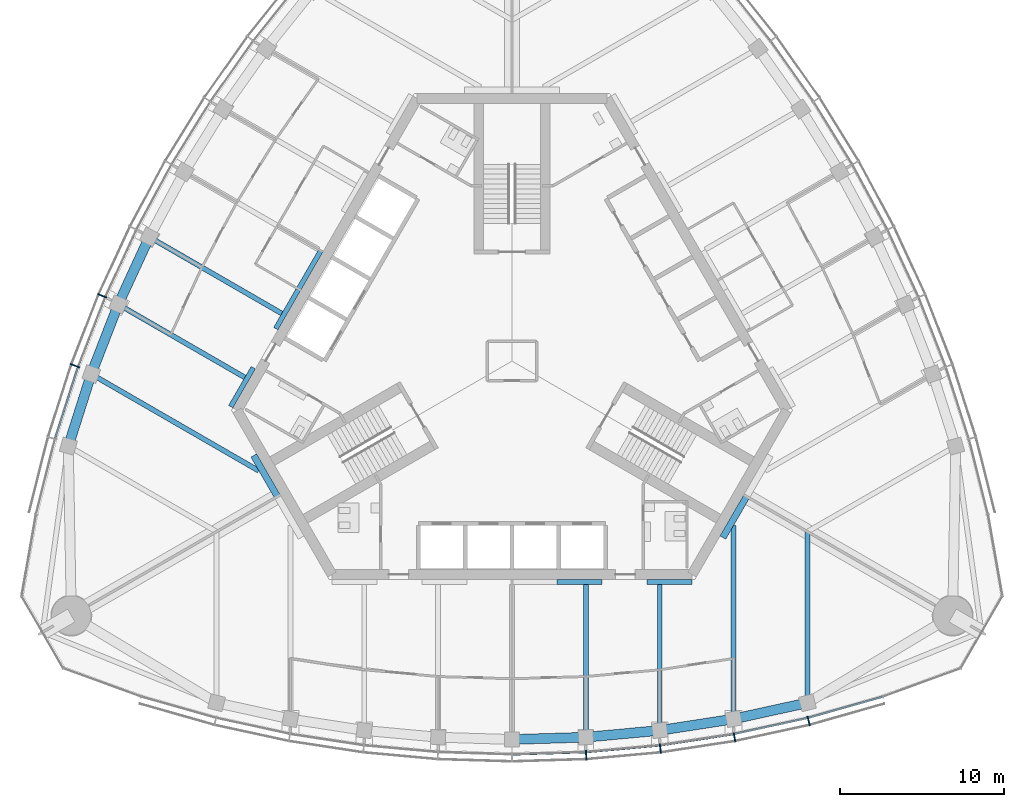
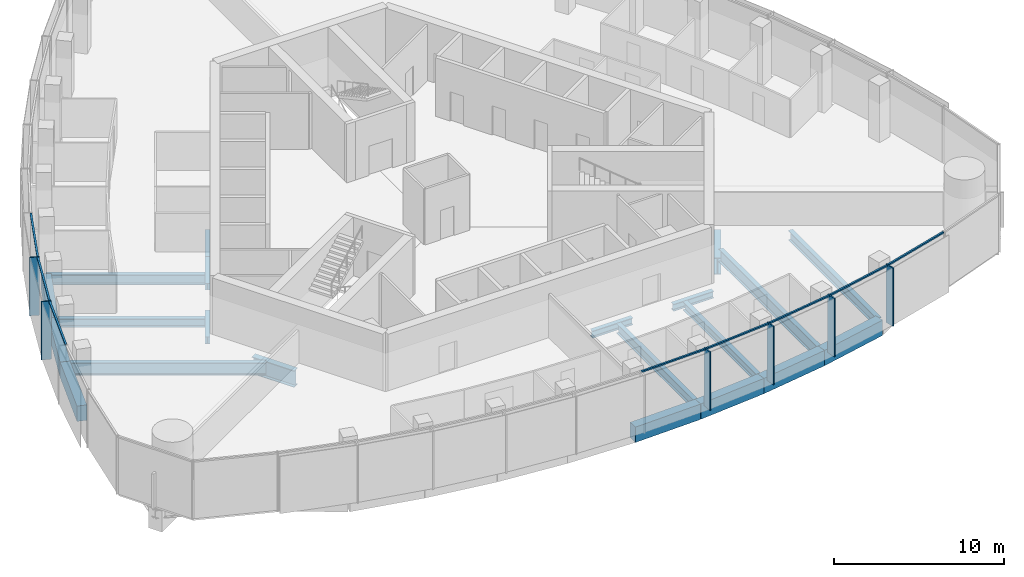
# One storey, part 3 of 16: 21 beams, 14 members, 2 elements without a shape of their own.
"""IFC4 building model written with IfcOpenShell, lengths in metres."""

from ifc_helpers import new_model, si_unit, direction, frame, origin, origin_2d, place, context, subcontext, project, spatial, rectangle, i_section, extrude, material, material_profile, profile_set, type_object, element, aggregate, save


model = new_model("IFC4")

# Units and contexts
model_context = context("Model", 3, precision=1e-05, world=origin(), true_north=direction((0.0, 1.0)))
body_context = subcontext(model_context, "Body", "Model", "MODEL_VIEW")
ifc_project = project(units=[si_unit("LENGTHUNIT", "METRE"), si_unit("AREAUNIT", "SQUARE_METRE"), si_unit("VOLUMEUNIT", "CUBIC_METRE"), si_unit("PLANEANGLEUNIT", "RADIAN"), si_unit("MASSUNIT", "GRAM", prefix="KILO")], contexts=[model_context])

# Site, building, storey
site_placement = place(None, origin())
site = spatial("IfcSite", under=ifc_project, at=site_placement, CompositionType="ELEMENT")
building_placement = place(site_placement, origin())
building = spatial("IfcBuilding", under=site, at=building_placement, Name="Trefoil Bronze Tower", CompositionType="ELEMENT")
storey_placement = place(building_placement, frame((0.0, 0.0, 305.699951171875)))
storey = spatial("IfcBuildingStorey", under=building, at=storey_placement, Name="L70", CompositionType="ELEMENT", Elevation=305.699951171875)

# Curtain wall, members
ifc_material_1 = material(Name="Tinted solar-control glass", Category="glass")
curtain_wall_type = type_object("IfcCurtainWallType", Name="Bronze office curtain wall", PredefinedType="USERDEFINED", material=ifc_material_1)
curtain_wall_1_placement = place(storey_placement, origin())
curtain_wall_1 = element("IfcCurtainWall", 1, at=curtain_wall_1_placement, inside=storey, type_object=curtain_wall_type, Name="CW-A L70 F1", ObjectType="CURTAIN WALL", PredefinedType="USERDEFINED")
ifc_material_2 = material(Name="Bronze-finish aluminium", Category="aluminium")
ifc_material_profile_1 = material_profile(ifc_material_2, rectangle(XDim=0.60009765625, YDim=0.080078125, at=origin_2d()), Name="CW-A mullion")
ifc_profile_set_1 = profile_set([ifc_material_profile_1], Name="Bronze-finish aluminium")
member_type_1 = type_object("IfcMemberType", Name="Bronze office curtain wall mullion", PredefinedType="MULLION", material=ifc_profile_set_1)
member_1_placement = place(storey_placement, frame((4.51806640625, -24.014892578125, 0.0), z_axis=(0.0, 0.0, 1.0), x_axis=(-0.060554040199, 0.998164920349, 0.0)))
member_1 = element("IfcMember", 2, at=member_1_placement, type_object=member_type_1, Name="CW-A L70 F1 mullion 7", PredefinedType="MULLION", context=body_context, shape_type="SweptSolid", body=[
    extrude(rectangle(XDim=0.60009765625, YDim=0.080078125, at=origin_2d()), origin(), (0.0, 0.0, 1.0), 4.179931640625),
])
member_2_placement = place(storey_placement, frame((9.036376953125, -23.602783203125, 0.0), z_axis=(0.0, 0.0, 1.0), x_axis=(-0.121109330868, 0.992639174109, 0.0)))
member_2 = element("IfcMember", 3, at=member_2_placement, type_object=member_type_1, Name="CW-A L70 F1 mullion 8", PredefinedType="MULLION", context=body_context, shape_type="SweptSolid", body=[
    extrude(rectangle(XDim=0.60009765625, YDim=0.080078125, at=origin_2d()), origin(), (0.0, 0.0, 1.0), 4.179931640625),
])
member_3_placement = place(storey_placement, frame((13.554443359375, -22.911376953125, 0.0), z_axis=(0.0, 0.0, 1.0), x_axis=(-0.181667218242, 0.983360067227, 0.0)))
member_3 = element("IfcMember", 4, at=member_3_placement, type_object=member_type_1, Name="CW-A L70 F1 mullion 9", PredefinedType="MULLION", context=body_context, shape_type="SweptSolid", body=[
    extrude(rectangle(XDim=0.60009765625, YDim=0.080078125, at=origin_2d()), origin(), (0.0, 0.0, 1.0), 4.179931640625),
])
member_4_placement = place(storey_placement, frame((18.07275390625, -21.931884765625, 0.0), z_axis=(0.0, 0.0, 1.0), x_axis=(-0.242394494031, 0.97017777199, 0.0)))
member_4 = element("IfcMember", 5, at=member_4_placement, type_object=member_type_1, Name="CW-A L70 F1 mullion 10", PredefinedType="MULLION", context=body_context, shape_type="SweptSolid", body=[
    extrude(rectangle(XDim=0.60009765625, YDim=0.080078125, at=origin_2d()), origin(), (0.0, 0.0, 1.0), 4.179931640625),
])

curtain_wall_2_placement = place(storey_placement, origin())
curtain_wall_2 = element("IfcCurtainWall", 6, at=curtain_wall_2_placement, inside=storey, type_object=curtain_wall_type, Name="CW-A L70 F3", ObjectType="CURTAIN WALL", PredefinedType="USERDEFINED")
member_5_placement = place(storey_placement, frame((-24.958984375, 3.975830078125, 0.0), z_axis=(0.0, 0.0, 1.0), x_axis=(0.920205407004, -0.391435829888, 0.0)))
member_5 = element("IfcMember", 7, at=member_5_placement, type_object=member_type_1, Name="CW-A L70 F3 mullion 8", PredefinedType="MULLION", context=body_context, shape_type="SweptSolid", body=[
    extrude(rectangle(XDim=0.60009765625, YDim=0.080078125, at=origin_2d()), origin(), (0.0, 0.0, 1.0), 4.179931640625),
])
member_6_placement = place(storey_placement, frame((-26.618896484375, -0.282958984375, 0.0), z_axis=(0.0, 0.0, 1.0), x_axis=(0.942448408407, -0.334351607581, 0.0)))
member_6 = element("IfcMember", 8, at=member_6_placement, type_object=member_type_1, Name="CW-A L70 F3 mullion 9", PredefinedType="MULLION", context=body_context, shape_type="SweptSolid", body=[
    extrude(rectangle(XDim=0.60009765625, YDim=0.080078125, at=origin_2d()), origin(), (0.0, 0.0, 1.0), 4.179931640625),
])

# Member
ifc_material_3 = material(Name="Bronze-finish aluminium", Category="aluminium")
ifc_material_profile_2 = material_profile(ifc_material_3, rectangle(XDim=0.1201171875, YDim=0.10009765625, at=origin_2d()), Name="CW-A transom")
ifc_profile_set_2 = profile_set([ifc_material_profile_2], Name="Bronze-finish aluminium")
member_type_2 = type_object("IfcMemberType", Name="Bronze office curtain wall transom", PredefinedType="USERDEFINED", material=ifc_profile_set_2)
member_7_placement = place(storey_placement, frame((0.04296875, -23.950439453125, 4.130126953125), z_axis=(0.99954057115, 0.030309183848, 0.0), x_axis=(-0.030309183848, 0.99954057115, 0.0)))
member_7 = element("IfcMember", 9, at=member_7_placement, type_object=member_type_2, Name="CW-A L70 F1 transom 6", ObjectType="TRANSOM", PredefinedType="USERDEFINED", context=body_context, shape_type="SweptSolid", body=[
    extrude(rectangle(XDim=0.1201171875, YDim=0.10009765625, at=origin_2d()), origin(), (0.0, 0.0, 1.0), 4.422119140625),
])

member_8_placement = place(storey_placement, frame((4.548828125, -23.811279296875, 4.130126953125), z_axis=(0.995868373079, 0.090808499059, 0.0), x_axis=(-0.090808499059, 0.995868373079, 0.0)))
member_8 = element("IfcMember", 10, at=member_8_placement, type_object=member_type_2, Name="CW-A L70 F1 transom 7", ObjectType="TRANSOM", PredefinedType="USERDEFINED", context=body_context, shape_type="SweptSolid", body=[
    extrude(rectangle(XDim=0.1201171875, YDim=0.10009765625, at=origin_2d()), origin(), (0.0, 0.0, 1.0), 4.438720703125),
])

member_9_placement = place(storey_placement, frame((9.0546875, -23.39794921875, 4.130126953125), z_axis=(0.988485016014, 0.151318779787, 0.0), x_axis=(-0.151318779787, 0.988485016014, 0.0)))
member_9 = element("IfcMember", 11, at=member_9_placement, type_object=member_type_2, Name="CW-A L70 F1 transom 8", ObjectType="TRANSOM", PredefinedType="USERDEFINED", context=body_context, shape_type="SweptSolid", body=[
    extrude(rectangle(XDim=0.1201171875, YDim=0.10009765625, at=origin_2d()), origin(), (0.0, 0.0, 1.0), 4.472412109375),
])

member_10_placement = place(storey_placement, frame((13.560302734375, -22.70556640625, 4.130126953125), z_axis=(0.977303780028, 0.211842681117, 0.0), x_axis=(-0.211842681117, 0.977303780028, 0.0)))
member_10 = element("IfcMember", 12, at=member_10_placement, type_object=member_type_2, Name="CW-A L70 F1 transom 9", ObjectType="TRANSOM", PredefinedType="USERDEFINED", context=body_context, shape_type="SweptSolid", body=[
    extrude(rectangle(XDim=0.1201171875, YDim=0.10009765625, at=origin_2d()), origin(), (0.0, 0.0, 1.0), 4.524658203125),
])

member_11_placement = place(storey_placement, frame((18.065673828125, -21.72607421875, 4.130126953125), z_axis=(0.962102611578, 0.272687668944, 0.0), x_axis=(-0.272687668944, 0.962102611578, 0.0)))
member_11 = element("IfcMember", 13, at=member_11_placement, type_object=member_type_2, Name="CW-A L70 F1 transom 10", ObjectType="TRANSOM", PredefinedType="USERDEFINED", context=body_context, shape_type="SweptSolid", body=[
    extrude(rectangle(XDim=0.1201171875, YDim=0.10009765625, at=origin_2d()), origin(), (0.0, 0.0, 1.0), 4.6474609375),
])

aggregate(curtain_wall_1, [member_1, member_2, member_3, member_4, member_7, member_8, member_9, member_10, member_11])

member_12_placement = place(storey_placement, frame((-22.895751953125, 7.966064453125, 4.130126953125), z_axis=(-0.4192988407, -0.907848270466, 0.0), x_axis=(0.907848270466, -0.4192988407, 0.0)))
member_12 = element("IfcMember", 14, at=member_12_placement, type_object=member_type_2, Name="CW-A L70 F3 transom 7", ObjectType="TRANSOM", PredefinedType="USERDEFINED", context=body_context, shape_type="SweptSolid", body=[
    extrude(rectangle(XDim=0.1201171875, YDim=0.10009765625, at=origin_2d()), origin(), (0.0, 0.0, 1.0), 4.4384765625),
])

member_13_placement = place(storey_placement, frame((-24.79052734375, 3.857421875, 4.130126953125), z_axis=(-0.363178486404, -0.931719586042, 0.0), x_axis=(0.931719586042, -0.363178486404, 0.0)))
member_13 = element("IfcMember", 15, at=member_13_placement, type_object=member_type_2, Name="CW-A L70 F3 transom 8", ObjectType="TRANSOM", PredefinedType="USERDEFINED", context=body_context, shape_type="SweptSolid", body=[
    extrude(rectangle(XDim=0.1201171875, YDim=0.10009765625, at=origin_2d()), origin(), (0.0, 0.0, 1.0), 4.472412109375),
])

member_14_placement = place(storey_placement, frame((-26.443603515625, -0.390869140625, 4.130126953125), z_axis=(-0.305198606794, -0.95228872219, 0.0), x_axis=(0.95228872219, -0.305198606794, 0.0)))
member_14 = element("IfcMember", 16, at=member_14_placement, type_object=member_type_2, Name="CW-A L70 F3 transom 9", ObjectType="TRANSOM", PredefinedType="USERDEFINED", context=body_context, shape_type="SweptSolid", body=[
    extrude(rectangle(XDim=0.1201171875, YDim=0.10009765625, at=origin_2d()), origin(), (0.0, 0.0, 1.0), 4.5244140625),
])

aggregate(curtain_wall_2, [member_5, member_6, member_12, member_13, member_14])

# Beams
ifc_material_4 = material(Name="Steel C355", Category="steel")
ifc_material_profile_3 = material_profile(ifc_material_4, i_section(OverallWidth=0.300048828125, OverallDepth=0.5, WebThickness=0.014404296875, FlangeThickness=0.028076171875, FilletRadius=0.027099609375, at=origin_2d()), Name="HEB 500")
ifc_profile_set_3 = profile_set([ifc_material_profile_3], Name="Steel C355")
beam_type_1 = type_object("IfcBeamType", Name="Core seat beam HEB 500", PredefinedType="BEAM", material=ifc_profile_set_3)
for number, where, z_axis, x_axis, name in (
    (17, (2.742431640625, -13.449951171875, -0.449951171875), (1.0, 0.0, 0.0), (0.0, 1.0, 0.0), "Core seat beam F1/+1 L70"),
    (18, (8.227294921875, -13.449951171875, -0.449951171875), (1.0, 0.0, 0.0), (0.0, 1.0, 0.0), "Core seat beam F1/+2 L70"),
    (19, (-11.64794921875, 6.72509765625, -0.449951171875), (-0.500035825175, -0.866004719122, 0.0), (0.866004719122, -0.500035825175, 0.0), "Core seat beam F3/+0 L70"),
    (20, (-13.019287109375, 4.35009765625, -0.449951171875), (-0.499969057507, -0.866043267704, 0.0), (0.866043267704, -0.499969057507, 0.0), "Core seat beam F3/+1 L70"),
    (21, (-15.76171875, -0.39990234375, -0.449951171875), (-0.499969057507, -0.866043267704, 0.0), (0.866043267704, -0.499969057507, 0.0), "Core seat beam F3/+2 L70"),
):
    element("IfcBeam", number, at=place(storey_placement, frame(where, z_axis=z_axis, x_axis=x_axis)), inside=storey, type_object=beam_type_1, Name=name, PredefinedType="BEAM", context=body_context, shape_type="SweptSolid", body=[
        extrude(i_section(OverallWidth=0.300048828125, OverallDepth=0.5, WebThickness=0.014404296875, FlangeThickness=0.028076171875, FilletRadius=0.027099609375, at=origin_2d()), origin(), (0.0, 0.0, 1.0), 2.742431640625),
    ])
ifc_material_5 = material(Name="Steel C355", Category="steel")
ifc_material_profile_4 = material_profile(ifc_material_5, i_section(OverallWidth=0.39990234375, OverallDepth=1.199951171875, WebThickness=0.02001953125, FlangeThickness=0.0400390625, FilletRadius=0.010009765625, at=origin_2d()), Name="WPG 1200")
ifc_profile_set_4 = profile_set([ifc_material_profile_4], Name="Steel C355")
beam_type_2 = type_object("IfcBeamType", Name="Core seat beam WPG 1200", PredefinedType="BEAM", material=ifc_profile_set_4)
beam_1_placement = place(storey_placement, frame((12.845947265625, -10.75, -0.800048828125), z_axis=(0.499995765644, 0.866027848477, 0.0), x_axis=(-0.866027848477, 0.499995765644, 0.0)))
element("IfcBeam", 22, at=beam_1_placement, inside=storey, type_object=beam_type_2, Name="Core seat beam F1/+3 L70", PredefinedType="BEAM", context=body_context, shape_type="SweptSolid", body=[
    extrude(i_section(OverallWidth=0.39990234375, OverallDepth=1.199951171875, WebThickness=0.02001953125, FlangeThickness=0.0400390625, FilletRadius=0.010009765625, at=origin_2d()), origin(), (0.0, 0.0, 1.0), 2.88671875),
])
beam_2_placement = place(storey_placement, frame((-15.73291015625, -5.75, -0.800048828125), z_axis=(0.500059191753, -0.865991226713, 0.0), x_axis=(0.865991226713, 0.500059191753, 0.0)))
element("IfcBeam", 23, at=beam_2_placement, inside=storey, type_object=beam_type_2, Name="Core seat beam F3/+3 L70", PredefinedType="BEAM", context=body_context, shape_type="SweptSolid", body=[
    extrude(i_section(OverallWidth=0.39990234375, OverallDepth=1.199951171875, WebThickness=0.02001953125, FlangeThickness=0.0400390625, FilletRadius=0.010009765625, at=origin_2d()), origin(), (0.0, 0.0, 1.0), 2.886962890625),
])
ifc_material_6 = material(Name="Steel C355", Category="steel")
ifc_material_profile_5 = material_profile(ifc_material_6, i_section(OverallWidth=0.300048828125, OverallDepth=0.60009765625, WebThickness=0.015380859375, FlangeThickness=0.030029296875, FilletRadius=0.027099609375, at=origin_2d()), Name="HEB 600")
ifc_profile_set_5 = profile_set([ifc_material_profile_5], Name="Steel C355")
beam_type_3 = type_object("IfcBeamType", Name="Floor beam HEB 600", PredefinedType="BEAM", material=ifc_profile_set_5)
for number, where, z_axis, x_axis, name in (
    (24, (9.0, -22.499267578125, -0.5), (0.0, 1.0, 0.0), (-1.0, 0.0, 0.0), "Floor beam F1/+2 L70"),
    (25, (-23.98486328125, 3.455322265625, -0.5), (0.866034827411, -0.499983677445, 0.0), (0.499983677445, 0.866034827411, 0.0), "Floor beam F3/+2 L70"),
):
    element("IfcBeam", number, at=place(storey_placement, frame(where, z_axis=z_axis, x_axis=x_axis)), inside=storey, type_object=beam_type_3, Name=name, PredefinedType="BEAM", context=body_context, shape_type="SweptSolid", body=[
        extrude(i_section(OverallWidth=0.300048828125, OverallDepth=0.60009765625, WebThickness=0.015380859375, FlangeThickness=0.030029296875, FilletRadius=0.027099609375, at=origin_2d()), origin(), (0.0, 0.0, 1.0), 8.899169921875),
    ])
ifc_material_7 = material(Name="Steel C355", Category="steel")
ifc_material_profile_6 = material_profile(ifc_material_7, i_section(OverallWidth=0.300048828125, OverallDepth=0.699951171875, WebThickness=0.01708984375, FlangeThickness=0.031982421875, FilletRadius=0.027099609375, at=origin_2d()), Name="HEB 700")
ifc_profile_set_6 = profile_set([ifc_material_profile_6], Name="Steel C355")
beam_type_4 = type_object("IfcBeamType", Name="Floor beam HEB 700", PredefinedType="BEAM", material=ifc_profile_set_6)
beam_3_placement = place(storey_placement, frame((4.5, -22.913818359375, -0.550048828125), z_axis=(0.0, 1.0, 0.0), x_axis=(-1.0, 0.0, 0.0)))
element("IfcBeam", 26, at=beam_3_placement, inside=storey, type_object=beam_type_4, Name="Floor beam F1/+1 L70", PredefinedType="BEAM", context=body_context, shape_type="SweptSolid", body=[
    extrude(i_section(OverallWidth=0.300048828125, OverallDepth=0.699951171875, WebThickness=0.01708984375, FlangeThickness=0.031982421875, FilletRadius=0.027099609375, at=origin_2d()), origin(), (0.0, 0.0, 1.0), 9.313720703125),
])
beam_4_placement = place(storey_placement, frame((18.0, -20.816162109375, -0.550048828125), z_axis=(0.0, 1.0, 0.0), x_axis=(-1.0, 0.0, 0.0)))
element("IfcBeam", 27, at=beam_4_placement, inside=storey, type_object=beam_type_4, Name="Floor beam F1/+4 L70", PredefinedType="BEAM", context=body_context, shape_type="SweptSolid", body=[
    extrude(i_section(OverallWidth=0.300048828125, OverallDepth=0.699951171875, WebThickness=0.01708984375, FlangeThickness=0.031982421875, FilletRadius=0.027099609375, at=origin_2d()), origin(), (0.0, 0.0, 1.0), 10.423828125),
])
beam_5_placement = place(storey_placement, frame((-22.093994140625, 7.559814453125, -0.550048828125), z_axis=(0.866026261222, -0.499998514871, 0.0), x_axis=(0.499998514871, 0.866026261222, 0.0)))
element("IfcBeam", 28, at=beam_5_placement, inside=storey, type_object=beam_type_4, Name="Floor beam F3/+1 L70", PredefinedType="BEAM", context=body_context, shape_type="SweptSolid", body=[
    extrude(i_section(OverallWidth=0.300048828125, OverallDepth=0.699951171875, WebThickness=0.01708984375, FlangeThickness=0.031982421875, FilletRadius=0.027099609375, at=origin_2d()), origin(), (0.0, 0.0, 1.0), 9.31396484375),
])
ifc_material_8 = material(Name="Steel C355", Category="steel")
ifc_material_profile_7 = material_profile(ifc_material_8, i_section(OverallWidth=0.300048828125, OverallDepth=0.89990234375, WebThickness=0.0185546875, FlangeThickness=0.034912109375, FilletRadius=0.030029296875, at=origin_2d()), Name="HEB 900")
ifc_profile_set_7 = profile_set([ifc_material_profile_7], Name="Steel C355")
beam_type_5 = type_object("IfcBeamType", Name="Floor beam HEB 900", PredefinedType="BEAM", material=ifc_profile_set_7)
beam_6_placement = place(storey_placement, frame((13.5, -21.802734375, -0.64990234375), z_axis=(0.0, 1.0, 0.0), x_axis=(-1.0, 0.0, 0.0)))
element("IfcBeam", 29, at=beam_6_placement, inside=storey, type_object=beam_type_5, Name="Floor beam F1/+3 L70", PredefinedType="BEAM", context=body_context, shape_type="SweptSolid", body=[
    extrude(i_section(OverallWidth=0.300048828125, OverallDepth=0.89990234375, WebThickness=0.0185546875, FlangeThickness=0.034912109375, FilletRadius=0.030029296875, at=origin_2d()), origin(), (0.0, 0.0, 1.0), 11.785400390625),
])
beam_7_placement = place(storey_placement, frame((-25.631591796875, -0.7900390625, -0.64990234375), z_axis=(0.866026552003, -0.499998011222, 0.0), x_axis=(0.499998011222, 0.866026552003, 0.0)))
element("IfcBeam", 30, at=beam_7_placement, inside=storey, type_object=beam_type_5, Name="Floor beam F3/+3 L70", PredefinedType="BEAM", context=body_context, shape_type="SweptSolid", body=[
    extrude(i_section(OverallWidth=0.300048828125, OverallDepth=0.89990234375, WebThickness=0.0185546875, FlangeThickness=0.034912109375, FilletRadius=0.030029296875, at=origin_2d()), origin(), (0.0, 0.0, 1.0), 11.78515625),
])
ifc_material_9 = material(Name="Concrete B80", Category="concrete")
ifc_material_profile_8 = material_profile(ifc_material_9, rectangle(XDim=0.60009765625, YDim=1.10009765625, at=origin_2d()), Name="RC 600x1100")
ifc_profile_set_8 = profile_set([ifc_material_profile_8], Name="Concrete B80")
beam_type_6 = type_object("IfcBeamType", Name="Spandrel beam RC 600x1100", PredefinedType="SPANDREL", material=ifc_profile_set_8)
beam_8_placement = place(storey_placement, frame((0.0, -23.051513671875, -0.75), z_axis=(0.999532180362, 0.03058464354, 0.0), x_axis=(-0.03058464354, 0.999532180362, 0.0)))
element("IfcBeam", 31, at=beam_8_placement, inside=storey, type_object=beam_type_6, Name="Spandrel F1.6 L70", PredefinedType="SPANDREL", context=body_context, shape_type="SweptSolid", body=[
    extrude(rectangle(XDim=0.60009765625, YDim=1.10009765625, at=origin_2d()), origin(), (0.0, 0.0, 1.0), 4.502197265625),
])
beam_9_placement = place(storey_placement, frame((4.5, -22.913818359375, -0.75), z_axis=(0.995783550481, 0.091733966402, 0.0), x_axis=(-0.091733966402, 0.995783550481, 0.0)))
element("IfcBeam", 32, at=beam_9_placement, inside=storey, type_object=beam_type_6, Name="Spandrel F1.7 L70", PredefinedType="SPANDREL", context=body_context, shape_type="SweptSolid", body=[
    extrude(rectangle(XDim=0.60009765625, YDim=1.10009765625, at=origin_2d()), origin(), (0.0, 0.0, 1.0), 4.51904296875),
])
beam_10_placement = place(storey_placement, frame((9.0, -22.499267578125, -0.75), z_axis=(0.988231820946, 0.152963616816, 0.0), x_axis=(-0.152963616816, 0.988231820946, 0.0)))
element("IfcBeam", 33, at=beam_10_placement, inside=storey, type_object=beam_type_6, Name="Spandrel F1.8 L70", PredefinedType="SPANDREL", context=body_context, shape_type="SweptSolid", body=[
    extrude(rectangle(XDim=0.60009765625, YDim=1.10009765625, at=origin_2d()), origin(), (0.0, 0.0, 1.0), 4.553466796875),
])
beam_11_placement = place(storey_placement, frame((13.5, -21.802734375, -0.75), z_axis=(0.976800342355, 0.214152028182, 0.0), x_axis=(-0.214152028182, 0.976800342355, 0.0)))
element("IfcBeam", 34, at=beam_11_placement, inside=storey, type_object=beam_type_6, Name="Spandrel F1.9 L70", PredefinedType="SPANDREL", context=body_context, shape_type="SweptSolid", body=[
    extrude(rectangle(XDim=0.60009765625, YDim=1.10009765625, at=origin_2d()), origin(), (0.0, 0.0, 1.0), 4.60693359375),
])
beam_12_placement = place(storey_placement, frame((-22.093994140625, 7.559814453125, -0.75), z_axis=(-0.418417425199, -0.90825484215, 0.0), x_axis=(0.90825484215, -0.418417425199, 0.0)))
element("IfcBeam", 35, at=beam_12_placement, inside=storey, type_object=beam_type_6, Name="Spandrel F3.7 L70", PredefinedType="SPANDREL", context=body_context, shape_type="SweptSolid", body=[
    extrude(rectangle(XDim=0.60009765625, YDim=1.10009765625, at=origin_2d()), origin(), (0.0, 0.0, 1.0), 4.51904296875),
])
beam_13_placement = place(storey_placement, frame((-23.98486328125, 3.455322265625, -0.75), z_axis=(-0.361636286502, -0.932319256631, 0.0), x_axis=(0.932319256631, -0.361636286502, 0.0)))
element("IfcBeam", 36, at=beam_13_placement, inside=storey, type_object=beam_type_6, Name="Spandrel F3.8 L70", PredefinedType="SPANDREL", context=body_context, shape_type="SweptSolid", body=[
    extrude(rectangle(XDim=0.60009765625, YDim=1.10009765625, at=origin_2d()), origin(), (0.0, 0.0, 1.0), 4.553466796875),
])
beam_14_placement = place(storey_placement, frame((-25.631591796875, -0.7900390625, -0.75), z_axis=(-0.302969597344, -0.953000221975, 0.0), x_axis=(0.953000221975, -0.302969597344, 0.0)))
element("IfcBeam", 37, at=beam_14_placement, inside=storey, type_object=beam_type_6, Name="Spandrel F3.9 L70", PredefinedType="SPANDREL", context=body_context, shape_type="SweptSolid", body=[
    extrude(rectangle(XDim=0.60009765625, YDim=1.10009765625, at=origin_2d()), origin(), (0.0, 0.0, 1.0), 4.60693359375),
])

save(model, "model.ifc")
